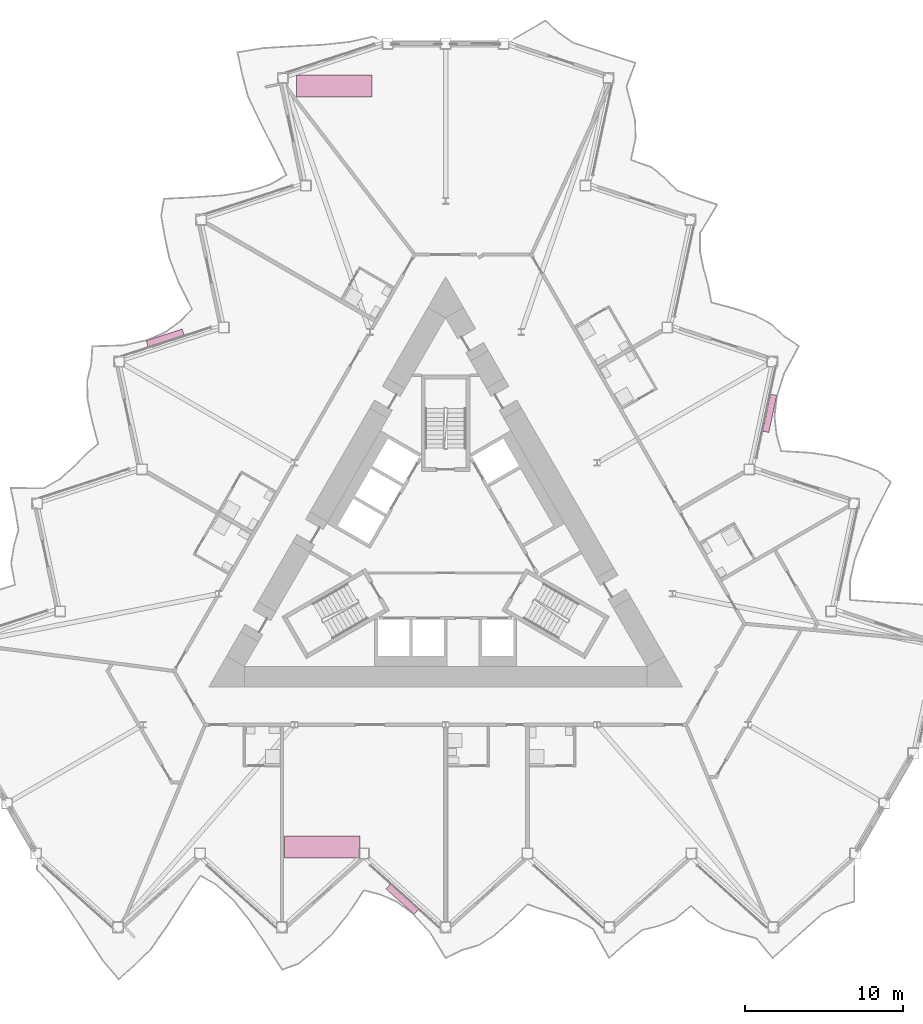
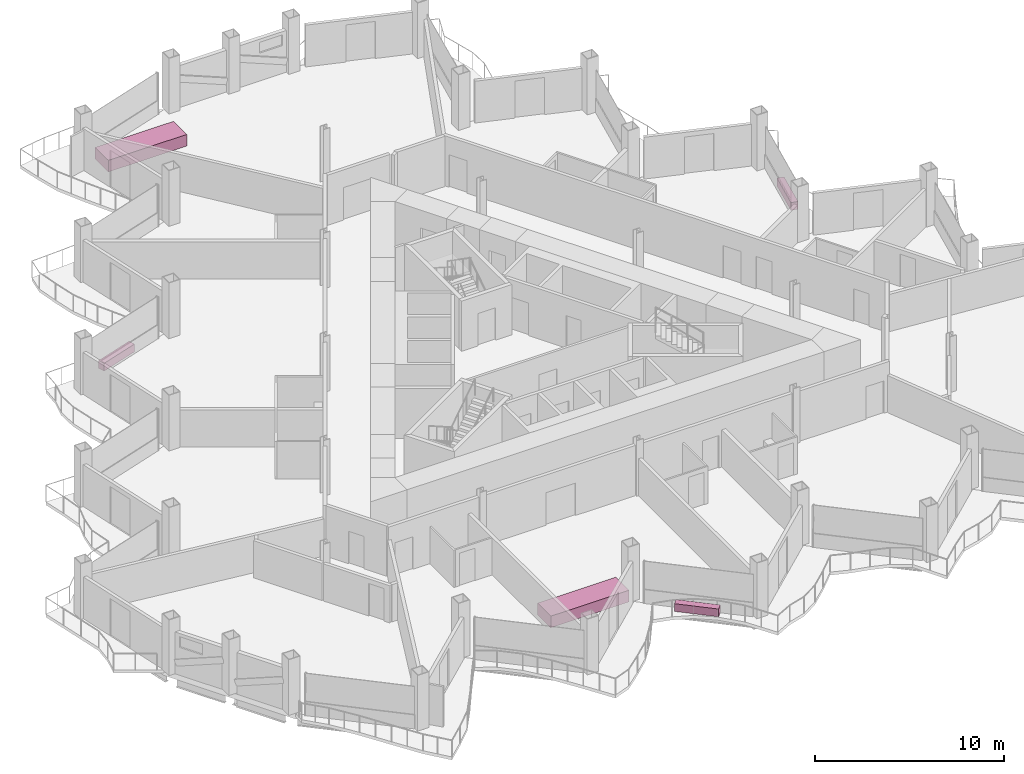
# One storey, part 23 of 23: 5 furniture elements.
"""IFC4 building model written with IfcOpenShell, lengths in metres."""

from ifc_helpers import new_model, si_unit, direction, frame, origin, origin_2d, place, context, subcontext, project, spatial, rectangle, extrude, material, type_object, element, save


model = new_model("IFC4")

# Units and contexts
model_context = context("Model", 3, precision=1e-05, world=origin(), true_north=direction((0.0, 1.0)))
body_context = subcontext(model_context, "Body", "Model", "MODEL_VIEW")
ifc_project = project(units=[si_unit("LENGTHUNIT", "METRE"), si_unit("AREAUNIT", "SQUARE_METRE"), si_unit("VOLUMEUNIT", "CUBIC_METRE"), si_unit("PLANEANGLEUNIT", "RADIAN"), si_unit("MASSUNIT", "GRAM", prefix="KILO")], contexts=[model_context])

# Site, building, storey
site_placement = place(None, origin())
site = spatial("IfcSite", under=ifc_project, at=site_placement, CompositionType="ELEMENT")
building_placement = place(site_placement, origin())
building = spatial("IfcBuilding", under=site, at=building_placement, Name="Cormorant Prow Tower", CompositionType="ELEMENT")
storey_placement = place(building_placement, frame((0.0, 0.0, 256.199951171875)))
storey = spatial("IfcBuildingStorey", under=building, at=storey_placement, Name="L57", CompositionType="ELEMENT", Elevation=256.199951171875)

# Furniture
ifc_material_1 = material(Name="Terracotta", Category="masonry")
furniture_type_1 = type_object("IfcFurnitureType", Name="Balcony planter 2400x400x500", AssemblyPlace="NOTDEFINED", PredefinedType="USERDEFINED", material=ifc_material_1)
for number, where, z_axis, x_axis, name in (
    (1, (-2.757080078125, -22.111083984375, 0.0), (0.0, 0.0, 1.0), (0.743144829063, -0.669130602377, 0.0), "Balcony planter S04"),
    (2, (20.52734375, 8.66796875, 0.0), (0.0, 0.0, 1.0), (0.207911825822, 0.978147572038, 0.0), "Balcony planter ENE04"),
    (3, (-17.770263671875, 13.443115234375, 0.0), (0.0, 0.0, 1.0), (-0.951056492009, -0.309017069121, 0.0), "Balcony planter WNW04"),
):
    element("IfcFurniture", number, at=place(storey_placement, frame(where, z_axis=z_axis, x_axis=x_axis)), inside=storey, type_object=furniture_type_1, Name=name, ObjectType="PLANTER", PredefinedType="USERDEFINED", context=body_context, shape_type="SweptSolid", body=[
        extrude(rectangle(XDim=2.39990234375, YDim=0.39990234375, at=origin_2d()), origin(), (0.0, 0.0, 1.0), 0.5),
    ])
ifc_material_2 = material(Name="Timber joinery", Category="wood")
furniture_type_2 = type_object("IfcFurnitureType", Name="Conference table 4800x1400", AssemblyPlace="NOTDEFINED", PredefinedType="TABLE", material=ifc_material_2)
for number, where, z_axis, x_axis, name in (
    (4, (-7.81396484375, -18.793701171875, 0.0), (0.0, 0.0, 1.0), (1.0, 0.0, 0.0), "Conference table"),
    (5, (-7.060302734375, 29.400390625, 0.0), (0.0, 0.0, 1.0), (1.0, 0.0, 0.0), "Conference table"),
):
    element("IfcFurniture", number, at=place(storey_placement, frame(where, z_axis=z_axis, x_axis=x_axis)), inside=storey, type_object=furniture_type_2, Name=name, PredefinedType="TABLE", context=body_context, shape_type="SweptSolid", body=[
        extrude(rectangle(XDim=4.800048828125, YDim=1.39990234375, at=origin_2d()), origin(), (0.0, 0.0, 1.0), 0.75),
    ])

save(model, "model.ifc")
